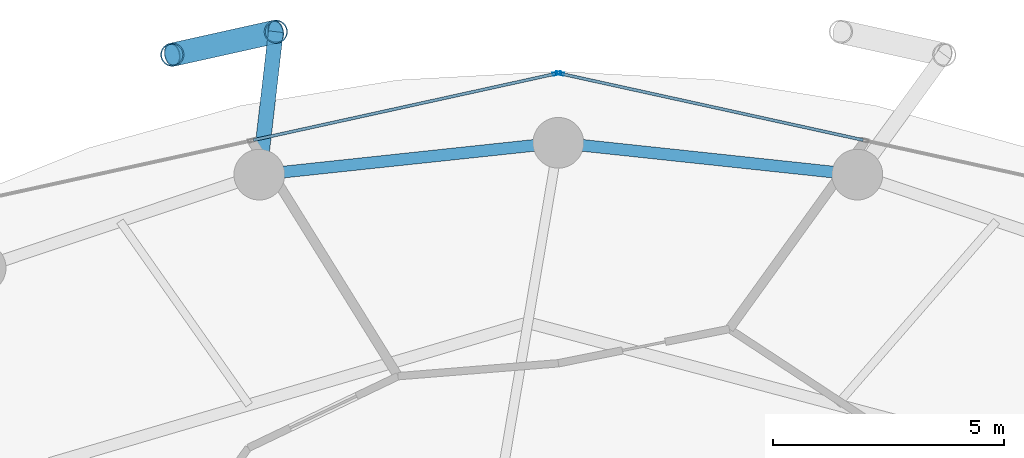
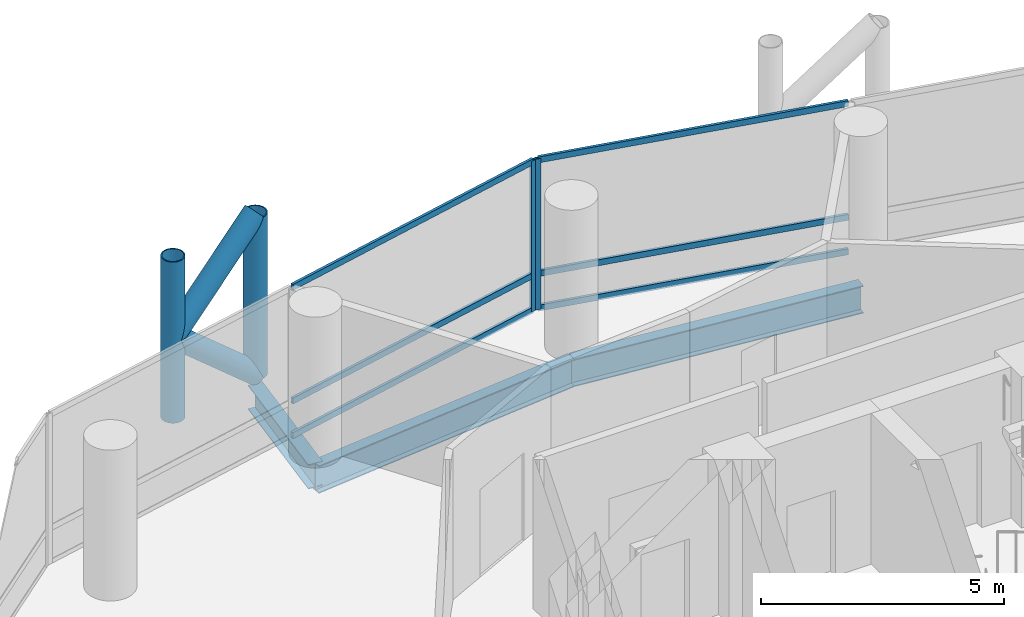
# One storey, part 16 of 24: 12 members, 3 beams, 2 elements without a shape of their own.
"""IFC4 building model written with IfcOpenShell, lengths in metres."""

import ifcopenshell
import ifcopenshell.guid

model = None  # the IFC model being written
_history = None  # IfcOwnerHistory: only IFC2X3 demands one
_inside = {}  # id of a spatial element -> (the spatial element, [elements in it])
_under = {}  # id of a project, library or spatial element -> (it, [spatial elements below it])
_declared = {}  # id of a project -> (the project, [libraries it declares])
_typed = {}  # id of a type object -> (the type object, [elements of that type])
_made_of = {}  # id of a material, layer set ... -> (it, [elements and type objects made of it])


def new_model(schema):
    """Start an empty IFC model of exactly this schema.

    Asked for "IFC4X3", IfcOpenShell would pick the latest addendum, in which some entities
    have other attributes; the version numbers below select the first issue.
    IFC2X3 requires an IfcOwnerHistory on every rooted entity: one is made here for all.
    """
    global model, _history
    if schema == "IFC4X3":
        model = ifcopenshell.file(schema_version=(4, 3, 0, 0))
    else:
        model = ifcopenshell.file(schema=schema)
    _inside.clear()
    _under.clear()
    _declared.clear()
    _typed.clear()
    _made_of.clear()
    _history = None
    if model.schema == "IFC2X3":
        org = make("IfcOrganization", Name="unknown")
        user = make(
            "IfcPersonAndOrganization",
            ThePerson=make("IfcPerson", FamilyName="unknown"),
            TheOrganization=org,
        )
        app = make(
            "IfcApplication",
            ApplicationDeveloper=org,
            Version="unknown",
            ApplicationFullName="unknown",
            ApplicationIdentifier="unknown",
        )
        _history = make(
            "IfcOwnerHistory",
            OwningUser=user,
            OwningApplication=app,
            ChangeAction="ADDED",
            CreationDate=0,
        )
    return model


def make(cls, **values):
    """One entity of the class cls with the attributes given. An attribute that is None is left unset."""
    return model.create_entity(
        cls, **{name: value for name, value in values.items() if value is not None}
    )


def rooted(cls, **values):
    """An entity with a GlobalId (a new one), such as an element, a storey or a relation."""
    return make(cls, GlobalId=ifcopenshell.guid.new(), OwnerHistory=_history, **values)


def si_unit(unit_type, name, prefix=None):
    """IfcSIUnit, for example si_unit("LENGTHUNIT", "METRE", prefix="MILLI")."""
    return make("IfcSIUnit", UnitType=unit_type, Prefix=prefix, Name=name)


def assignment(units):
    """IfcUnitAssignment: the units of a project."""
    return None if units is None else make("IfcUnitAssignment", Units=units)


def point(xyz):
    """IfcCartesianPoint."""
    return None if xyz is None else make("IfcCartesianPoint", Coordinates=xyz)


def direction(xyz):
    """IfcDirection."""
    return None if xyz is None else make("IfcDirection", DirectionRatios=xyz)


def frame(location, z_axis=None, x_axis=None):
    """IfcAxis2Placement3D, a coordinate frame: its origin and axes. An axis left out is left unset."""
    return make(
        "IfcAxis2Placement3D",
        Location=point(location),
        Axis=direction(z_axis),
        RefDirection=direction(x_axis),
    )


def frame_2d(location, x_axis=None):
    """IfcAxis2Placement2D, a coordinate frame in the plane: its origin and x axis."""
    return make(
        "IfcAxis2Placement2D", Location=point(location), RefDirection=direction(x_axis)
    )


def origin():
    """The frame at (0, 0, 0) with its axes left unset."""
    return frame((0.0, 0.0, 0.0))


def origin_2d():
    """The frame at (0, 0) in the plane with its x axis left unset."""
    return frame_2d((0.0, 0.0))


def place(relative_to, where):
    """IfcLocalPlacement: puts the frame where relative to a parent placement (None: the world)."""
    return make(
        "IfcLocalPlacement", PlacementRelTo=relative_to, RelativePlacement=where
    )


def context(
    kind, dimensions, precision=None, world=None, true_north=None, identifier=None
):
    """IfcGeometricRepresentationContext, for example the 3D "Model" context."""
    return make(
        "IfcGeometricRepresentationContext",
        ContextIdentifier=identifier,
        ContextType=kind,
        CoordinateSpaceDimension=dimensions,
        Precision=precision,
        WorldCoordinateSystem=world,
        TrueNorth=true_north,
    )


def subcontext(parent, identifier, kind, view, scale=None):
    """IfcGeometricRepresentationSubContext, for example "Body" below "Model"."""
    return make(
        "IfcGeometricRepresentationSubContext",
        ContextIdentifier=identifier,
        ContextType=kind,
        ParentContext=parent,
        TargetScale=scale,
        TargetView=view,
    )


def project(units=None, contexts=None):
    """IfcProject with its units and contexts."""
    return rooted(
        "IfcProject",
        Name="project",
        RepresentationContexts=contexts,
        UnitsInContext=assignment(units),
    )


def spatial(cls, under=None, at=None, **own):
    """A site, building, storey or space (cls), placed at a placement, below another one or the project."""
    s = rooted(cls, ObjectPlacement=at, **own)
    if under is not None:
        _under.setdefault(under.id(), (under, []))[1].append(s)
    return s


def profile(cls, at=None, kind="AREA", **sizes):
    """A parametric profile (cls). Its sizes go by their IFC names, for example OverallWidth=200.0."""
    return make(cls, ProfileType=kind, Position=at, **sizes)


def hollow_rectangle(**sizes):
    """IfcRectangleHollowProfileDef."""
    return profile("IfcRectangleHollowProfileDef", **sizes)


def hollow_circle(**sizes):
    """IfcCircleHollowProfileDef."""
    return profile("IfcCircleHollowProfileDef", **sizes)


def i_section(**sizes):
    """IfcIShapeProfileDef."""
    return profile("IfcIShapeProfileDef", **sizes)


def extrude(swept, where, along, depth):
    """IfcExtrudedAreaSolid: the profile swept, set in the frame where, extruded along a direction by depth."""
    return make(
        "IfcExtrudedAreaSolid",
        SweptArea=swept,
        Position=where,
        ExtrudedDirection=direction(along),
        Depth=depth,
    )


def shape(context_of_items, identifier, shape_type, items):
    """IfcShapeRepresentation: the items that make up one representation, for example the "Body"."""
    return make(
        "IfcShapeRepresentation",
        ContextOfItems=context_of_items,
        RepresentationIdentifier=identifier,
        RepresentationType=shape_type,
        Items=items,
    )


def material(Name=None, Category=None):
    """IfcMaterial."""
    return make("IfcMaterial", Name=Name, Category=Category)


def layer(
    of_material, thickness, ventilated=None, Name=None, Category=None, Priority=None
):
    """IfcMaterialLayer: one layer of a wall or slab, of a material (None: an air gap)."""
    return make(
        "IfcMaterialLayer",
        Material=of_material,
        LayerThickness=thickness,
        IsVentilated=ventilated,
        Name=Name,
        Category=Category,
        Priority=Priority,
    )


def layer_set(layers, Name=None):
    """IfcMaterialLayerSet."""
    return make("IfcMaterialLayerSet", MaterialLayers=layers, LayerSetName=Name)


def material_profile(
    of_material, cross_section, Name=None, Category=None, Priority=None
):
    """IfcMaterialProfile: a cross section and its material."""
    return make(
        "IfcMaterialProfile",
        Name=Name,
        Material=of_material,
        Profile=cross_section,
        Priority=Priority,
        Category=Category,
    )


def profile_set(profiles, Name=None, composite=None):
    """IfcMaterialProfileSet."""
    return make(
        "IfcMaterialProfileSet",
        Name=Name,
        MaterialProfiles=profiles,
        CompositeProfile=composite,
    )


def made_of(thing, what):
    """Note that an element or type object is made of a material, layer set ...; save() writes the relation."""
    if what is not None:
        _made_of.setdefault(what.id(), (what, []))[1].append(thing)
    return thing


def type_object(cls, material=None, **own):
    """A type object (cls), such as IfcWallType, which elements share."""
    return made_of(rooted(cls, **own), material)


def element(
    cls,
    number,
    at=None,
    inside=None,
    cuts=None,
    type_object=None,
    material=None,
    context=None,
    identifier="Body",
    shape_type=None,
    held_by="IfcProductDefinitionShape",
    body=None,
    shapes=None,
    **own,
):
    """One element of the class cls, such as IfcWall. Its Tag is "e" and its number.

    at: its placement. inside: the storey or other place that contains it. cuts: it is an
    opening in that element (IfcRelVoidsElement). A single representation is given by context,
    identifier, shape_type and body (its items); several are given by shapes. held_by: the class
    of the entity that holds the representations. save() writes the other relations.
    """
    e = rooted(cls, Tag="e%d" % number, ObjectPlacement=at, **own)
    if body is not None:
        shapes = [shape(context, identifier, shape_type, body)]
    if shapes is not None:
        e.Representation = make(held_by, Representations=shapes)
    if inside is not None:
        _inside.setdefault(inside.id(), (inside, []))[1].append(e)
    if cuts is not None:
        rooted(
            "IfcRelVoidsElement", RelatingBuildingElement=cuts, RelatedOpeningElement=e
        )
    if type_object is not None:
        _typed.setdefault(type_object.id(), (type_object, []))[1].append(e)
    return made_of(e, material)


def aggregate(whole, parts):
    """IfcRelAggregates: a whole, such as a stair, and the parts it consists of."""
    return rooted("IfcRelAggregates", RelatingObject=whole, RelatedObjects=parts)


def save(model, path):
    """Write the relations noted so far, then the file.

    IfcRelAggregates (storeys below a building ...), IfcRelContainedInSpatialStructure (elements
    in a storey), IfcRelDefinesByType, IfcRelAssociatesMaterial and IfcRelDeclares: one each for
    every whole, place, type object, material and project.
    """
    for whole, parts in _under.values():
        aggregate(whole, parts)
    for where, things in _inside.values():
        rooted(
            "IfcRelContainedInSpatialStructure",
            RelatedElements=things,
            RelatingStructure=where,
        )
    for kind, things in _typed.values():
        rooted("IfcRelDefinesByType", RelatedObjects=things, RelatingType=kind)
    for what, things in _made_of.values():
        rooted("IfcRelAssociatesMaterial", RelatedObjects=things, RelatingMaterial=what)
    for by, libraries in _declared.values():
        rooted("IfcRelDeclares", RelatingContext=by, RelatedDefinitions=libraries)
    model.write(path)


model = new_model("IFC4")

# Units and contexts
model_context = context("Model", 3, precision=1e-05, world=origin(), true_north=direction((0.0, 1.0)))
body_context = subcontext(model_context, "Body", "Model", "MODEL_VIEW")
ifc_project = project(units=[si_unit("LENGTHUNIT", "METRE"), si_unit("AREAUNIT", "SQUARE_METRE"), si_unit("VOLUMEUNIT", "CUBIC_METRE"), si_unit("PLANEANGLEUNIT", "RADIAN"), si_unit("MASSUNIT", "GRAM", prefix="KILO")], contexts=[model_context])

# Site, building, storey
site_placement = place(None, origin())
site = spatial("IfcSite", under=ifc_project, at=site_placement, CompositionType="ELEMENT")
building_placement = place(site_placement, origin())
building = spatial("IfcBuilding", under=site, at=building_placement, Name="Nuhasar Tower", CompositionType="ELEMENT")
storey_placement = place(building_placement, frame((0.0, 0.0, 29.10009765625)))
storey = spatial("IfcBuildingStorey", under=building, at=storey_placement, Name="L06", CompositionType="ELEMENT", Elevation=29.10009765625)

# Beams
ifc_material_1 = material(Name="Steel S355", Category="steel")
ifc_material_profile_1 = material_profile(ifc_material_1, i_section(OverallWidth=0.256103515625, OverallDepth=0.693115234375, WebThickness=0.014404296875, FlangeThickness=0.023681640625, at=origin_2d()), Name="W27X114")
ifc_profile_set_1 = profile_set([ifc_material_profile_1], Name="Steel S355")
beam_type_1 = type_object("IfcBeamType", Name="BM-RING-W27X114", PredefinedType="SPANDREL", material=ifc_profile_set_1)
for number, where, z_axis, x_axis, name in (
    (1, (45.48291015625, 46.360107421875, -0.606201171875), (-0.994384554061, 0.105827022286, 0.0), (-0.105827022286, -0.994384554061, 0.0), "L06 Perimeter Ring Spandrel 06"),
    (2, (39.0, 47.050048828125, -0.606201171875), (-0.994384554061, -0.105827022286, 0.0), (0.105827022286, -0.994384554061, 0.0), "L06 Perimeter Ring Spandrel 07"),
):
    element("IfcBeam", number, at=place(storey_placement, frame(where, z_axis=z_axis, x_axis=x_axis)), inside=storey, type_object=beam_type_1, Name=name, PredefinedType="SPANDREL", context=body_context, shape_type="SweptSolid", body=[
        extrude(i_section(OverallWidth=0.256103515625, OverallDepth=0.693115234375, WebThickness=0.014404296875, FlangeThickness=0.023681640625, at=origin_2d()), origin(), (0.0, 0.0, 1.0), 6.51953125),
    ])
ifc_material_profile_2 = material_profile(ifc_material_1, i_section(OverallWidth=0.323974609375, OverallDepth=0.611083984375, WebThickness=0.0126953125, FlangeThickness=0.01904296875, at=origin_2d()), Name="W24X104")
ifc_profile_set_2 = profile_set([ifc_material_profile_2], Name="Steel S355")
beam_type_2 = type_object("IfcBeamType", Name="BM-TIE-W24X104", PredefinedType="BEAM", material=ifc_profile_set_2)
beam_placement = place(storey_placement, frame((32.51708984375, 46.360107421875, -0.565185546875), z_axis=(0.115042934281, 0.993360520291, 0.0), x_axis=(-0.993360520291, 0.115042934281, 0.0)))
element("IfcBeam", 3, at=beam_placement, inside=storey, type_object=beam_type_2, Name="L06 Exoskeleton Node Tie Beam 04", PredefinedType="BEAM", context=body_context, shape_type="SweptSolid", body=[
    extrude(i_section(OverallWidth=0.323974609375, OverallDepth=0.611083984375, WebThickness=0.0126953125, FlangeThickness=0.01904296875, at=origin_2d()), origin(), (0.0, 0.0, 1.0), 3.11962890625),
])

# Curtain wall, member
ifc_material_2 = material(Name="Aluminium 6063-T6", Category="aluminium")
ifc_layer = layer(ifc_material_2, 0.199951171875)
ifc_layer_set = layer_set([ifc_layer], Name="Aluminium 6063-T6")
curtain_wall_type = type_object("IfcCurtainWallType", Name="CW-Z1-OFF", PredefinedType="NOTDEFINED", material=ifc_layer_set)
curtain_wall_1_placement = place(storey_placement, origin())
curtain_wall_1 = element("IfcCurtainWall", 4, at=curtain_wall_1_placement, inside=storey, type_object=curtain_wall_type, Name="L06 Unitised Curtain Wall 03", PredefinedType="NOTDEFINED")
ifc_material_profile_3 = material_profile(ifc_material_2, hollow_rectangle(XDim=0.06494140625, YDim=0.179931640625, WallThickness=0.0048828125, at=origin_2d()), Name="CWM-2")
ifc_profile_set_3 = profile_set([ifc_material_profile_3], Name="Aluminium 6063-T6")
member_type_1 = type_object("IfcMemberType", Name="CW-MUL-S2", PredefinedType="MULLION", material=ifc_profile_set_3)
member_1_placement = place(storey_placement, frame((39.03173828125, 48.552978515625, 0.0), z_axis=(0.0, 0.0, 1.0), x_axis=(-0.214398737637, -0.976746221544, 0.0)))
member_1 = element("IfcMember", 5, at=member_1_placement, type_object=member_type_1, Name="CW-Z1 mullion 3", PredefinedType="MULLION", context=body_context, shape_type="SweptSolid", body=[
    extrude(hollow_rectangle(XDim=0.06494140625, YDim=0.179931640625, WallThickness=0.0048828125, at=origin_2d()), origin(), (0.0, 0.0, 1.0), 3.789794921875),
])

curtain_wall_2_placement = place(storey_placement, origin())
curtain_wall_2 = element("IfcCurtainWall", 6, at=curtain_wall_2_placement, inside=storey, type_object=curtain_wall_type, Name="L06 Unitised Curtain Wall 04", PredefinedType="NOTDEFINED")
member_2_placement = place(storey_placement, frame((38.96826171875, 48.552978515625, 0.0), z_axis=(0.0, 0.0, 1.0), x_axis=(0.214398737637, -0.976746221544, 0.0)))
member_2 = element("IfcMember", 7, at=member_2_placement, type_object=member_type_1, Name="CW-Z1 mullion 1", PredefinedType="MULLION", context=body_context, shape_type="SweptSolid", body=[
    extrude(hollow_rectangle(XDim=0.06494140625, YDim=0.179931640625, WallThickness=0.0048828125, at=origin_2d()), origin(), (0.0, 0.0, 1.0), 3.789794921875),
])

# Member
ifc_material_profile_4 = material_profile(ifc_material_2, hollow_rectangle(XDim=0.06494140625, YDim=0.14990234375, WallThickness=0.00439453125, at=origin_2d()), Name="CWT-2")
ifc_profile_set_4 = profile_set([ifc_material_profile_4], Name="Aluminium 6063-T6")
member_type_2 = type_object("IfcMemberType", Name="CW-TRN-S2", PredefinedType="USERDEFINED", material=ifc_profile_set_4)
member_3_placement = place(storey_placement, frame((45.608154296875, 47.109375, 0.032470703125), z_axis=(-0.976740248595, 0.214425947065, 0.0), x_axis=(-0.214425947065, -0.976740248595, 0.0)))
member_3 = element("IfcMember", 8, at=member_3_placement, type_object=member_type_2, Name="CW-Z1 transom 2.1", ObjectType="TRANSOM", PredefinedType="USERDEFINED", context=body_context, shape_type="SweptSolid", body=[
    extrude(hollow_rectangle(XDim=0.06494140625, YDim=0.14990234375, WallThickness=0.00439453125, at=origin_2d()), origin(), (0.0, 0.0, 1.0), 6.700439453125),
])

member_4_placement = place(storey_placement, frame((45.608154296875, 47.109375, 0.89990234375), z_axis=(-0.976740248595, 0.214425947065, 0.0), x_axis=(-0.214425947065, -0.976740248595, 0.0)))
member_4 = element("IfcMember", 9, at=member_4_placement, type_object=member_type_2, Name="CW-Z1 transom 2.2", ObjectType="TRANSOM", PredefinedType="USERDEFINED", context=body_context, shape_type="SweptSolid", body=[
    extrude(hollow_rectangle(XDim=0.06494140625, YDim=0.14990234375, WallThickness=0.00439453125, at=origin_2d()), origin(), (0.0, 0.0, 1.0), 6.700439453125),
])

member_5_placement = place(storey_placement, frame((45.608154296875, 47.109375, 3.75732421875), z_axis=(-0.976740248595, 0.214425947065, 0.0), x_axis=(-0.214425947065, -0.976740248595, 0.0)))
member_5 = element("IfcMember", 10, at=member_5_placement, type_object=member_type_2, Name="CW-Z1 transom 2.3", ObjectType="TRANSOM", PredefinedType="USERDEFINED", context=body_context, shape_type="SweptSolid", body=[
    extrude(hollow_rectangle(XDim=0.06494140625, YDim=0.14990234375, WallThickness=0.00439453125, at=origin_2d()), origin(), (0.0, 0.0, 1.0), 6.700439453125),
])

aggregate(curtain_wall_1, [member_1, member_3, member_4, member_5])

member_6_placement = place(storey_placement, frame((38.9365234375, 48.546142578125, 0.032470703125), z_axis=(-0.976740248595, -0.214425947065, 0.0), x_axis=(0.214425947065, -0.976740248595, 0.0)))
member_6 = element("IfcMember", 11, at=member_6_placement, type_object=member_type_2, Name="CW-Z1 transom 1.1", ObjectType="TRANSOM", PredefinedType="USERDEFINED", context=body_context, shape_type="SweptSolid", body=[
    extrude(hollow_rectangle(XDim=0.06494140625, YDim=0.14990234375, WallThickness=0.00439453125, at=origin_2d()), origin(), (0.0, 0.0, 1.0), 6.700439453125),
])

member_7_placement = place(storey_placement, frame((38.9365234375, 48.546142578125, 0.89990234375), z_axis=(-0.976740248595, -0.214425947065, 0.0), x_axis=(0.214425947065, -0.976740248595, 0.0)))
member_7 = element("IfcMember", 12, at=member_7_placement, type_object=member_type_2, Name="CW-Z1 transom 1.2", ObjectType="TRANSOM", PredefinedType="USERDEFINED", context=body_context, shape_type="SweptSolid", body=[
    extrude(hollow_rectangle(XDim=0.06494140625, YDim=0.14990234375, WallThickness=0.00439453125, at=origin_2d()), origin(), (0.0, 0.0, 1.0), 6.700439453125),
])

member_8_placement = place(storey_placement, frame((38.9365234375, 48.546142578125, 3.75732421875), z_axis=(-0.976740248595, -0.214425947065, 0.0), x_axis=(0.214425947065, -0.976740248595, 0.0)))
member_8 = element("IfcMember", 13, at=member_8_placement, type_object=member_type_2, Name="CW-Z1 transom 1.3", ObjectType="TRANSOM", PredefinedType="USERDEFINED", context=body_context, shape_type="SweptSolid", body=[
    extrude(hollow_rectangle(XDim=0.06494140625, YDim=0.14990234375, WallThickness=0.00439453125, at=origin_2d()), origin(), (0.0, 0.0, 1.0), 6.700439453125),
])

aggregate(curtain_wall_2, [member_2, member_6, member_7, member_8])

# Members
ifc_material_3 = material(Name="Steel S460", Category="steel")
ifc_material_profile_5 = material_profile(ifc_material_3, hollow_circle(Radius=0.25390625, WallThickness=0.025390625, at=origin_2d()), Name="HSS508X25.4")
ifc_profile_set_5 = profile_set([ifc_material_profile_5], Name="Steel S460")
member_type_3 = type_object("IfcMemberType", Name="EXO-BRONZE-508", PredefinedType="BRACE", material=ifc_profile_set_5)
for number, where, z_axis, x_axis, name in (
    (14, (32.8759765625, 49.458984375, 0.0), (0.0, 0.0, 1.0), (1.0, 0.0, 0.0), "L06 Exoskeleton Chord Column EC-04A"),
    (15, (30.6298828125, 48.9599609375, 0.0), (0.0, 0.0, 1.0), (1.0, 0.0, 0.0), "L06 Exoskeleton Chord Column EC-04B"),
):
    element("IfcMember", number, at=place(storey_placement, frame(where, z_axis=z_axis, x_axis=x_axis)), inside=storey, type_object=member_type_3, Name=name, PredefinedType="BRACE", context=body_context, shape_type="SweptSolid", body=[
        extrude(hollow_circle(Radius=0.25390625, WallThickness=0.025390625, at=origin_2d()), origin(), (0.0, 0.0, 1.0), 4.0498046875),
    ])
for number, where, z_axis, x_axis, name in (
    (16, (32.8759765625, 49.458984375, 0.0), (-0.732821471909, -0.162813813976, 0.660654487828), (0.216885517571, -0.97619704582, 0.0), "L06 Bronze Diagrid Brace W1-04"),
    (17, (30.6298828125, 48.9599609375, 2.02490234375), (0.732821471909, 0.162813813976, 0.660654487828), (-0.216885517571, 0.97619704582, 0.0), "L06 Bronze Diagrid Brace W2-04"),
):
    element("IfcMember", number, at=place(storey_placement, frame(where, z_axis=z_axis, x_axis=x_axis)), inside=storey, type_object=member_type_3, Name=name, PredefinedType="BRACE", context=body_context, shape_type="SweptSolid", body=[
        extrude(hollow_circle(Radius=0.25390625, WallThickness=0.025390625, at=origin_2d()), origin(), (0.0, 0.0, 1.0), 3.06494140625),
    ])

save(model, "model.ifc")
